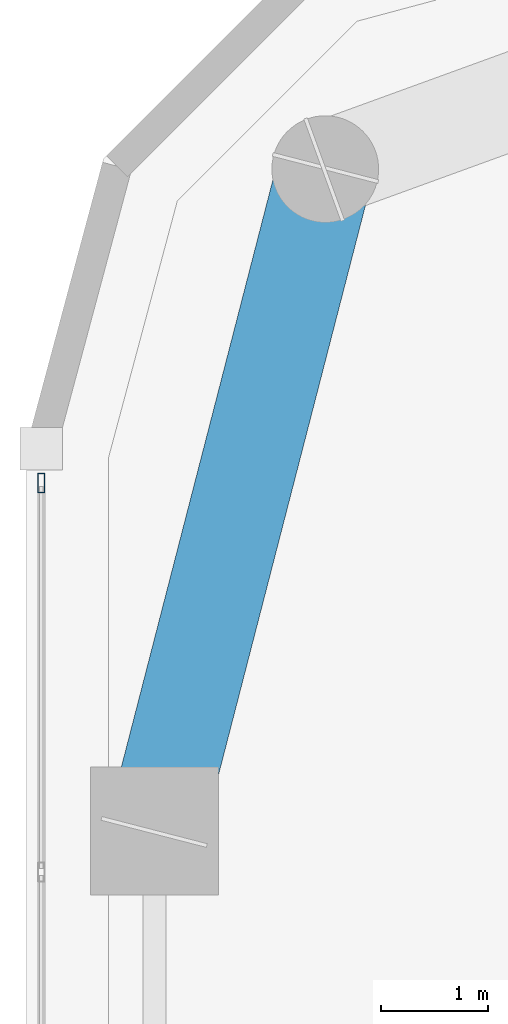
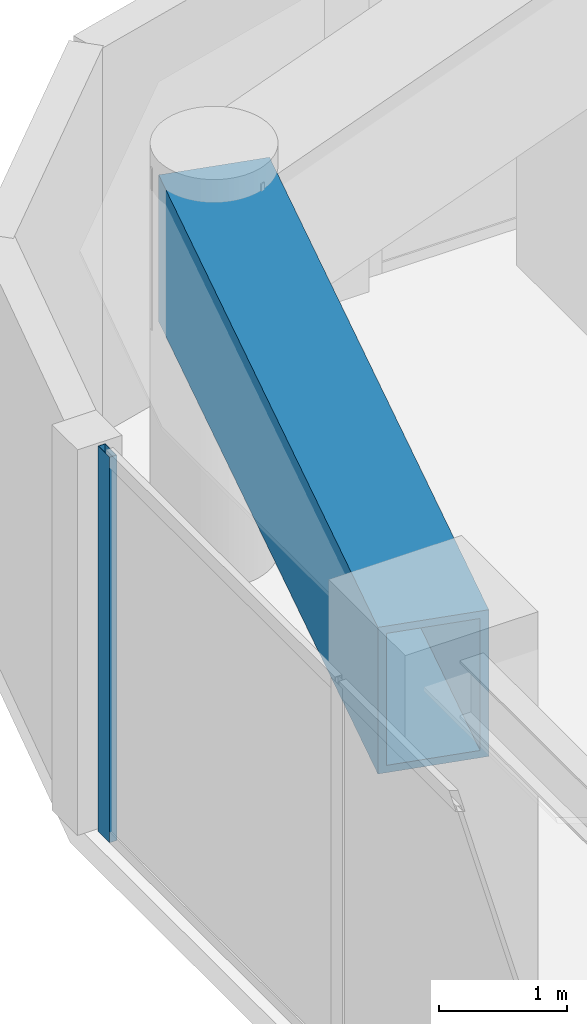
# One storey, part 15 of 30: 1 beam, 1 member, 1 element without a shape of its own.
"""IFC4 building model written with IfcOpenShell, lengths in metres."""

from ifc_helpers import new_model, si_unit, direction, frame, origin, origin_2d, place, context, subcontext, project, spatial, hollow_rectangle, extrude, material, layer, layer_set, material_profile, profile_set, type_object, element, aggregate, save


model = new_model("IFC4")

# Units and contexts
model_context = context("Model", 3, precision=1e-05, world=origin(), true_north=direction((0.0, 1.0)))
body_context = subcontext(model_context, "Body", "Model", "MODEL_VIEW")
ifc_project = project(units=[si_unit("LENGTHUNIT", "METRE"), si_unit("AREAUNIT", "SQUARE_METRE"), si_unit("VOLUMEUNIT", "CUBIC_METRE"), si_unit("PLANEANGLEUNIT", "RADIAN"), si_unit("MASSUNIT", "GRAM", prefix="KILO")], contexts=[model_context])

# Site, building, storey
site_placement = place(None, origin())
site = spatial("IfcSite", under=ifc_project, at=site_placement, CompositionType="ELEMENT")
building_placement = place(site_placement, origin())
building = spatial("IfcBuilding", under=site, at=building_placement, Name="Kiyonajd Concourse Tower", CompositionType="ELEMENT")
storey_placement = place(building_placement, frame((0.0, 0.0, 194.10009765625)))
storey = spatial("IfcBuildingStorey", under=building, at=storey_placement, Name="L49", CompositionType="ELEMENT", Elevation=194.10009765625)

# Beam
ifc_material_1 = material(Name="Steel ASTM A572 Grade 50", Category="steel")
ifc_material_profile_1 = material_profile(ifc_material_1, hollow_rectangle(XDim=0.89990234375, YDim=1.39990234375, WallThickness=0.070068359375, at=origin_2d()), Name="BOX-1400x900x70")
ifc_profile_set_1 = profile_set([ifc_material_profile_1], Name="Steel ASTM A572 Grade 50")
beam_type = type_object("IfcBeamType", Name="BM-XFER-1400", PredefinedType="BEAM", material=ifc_profile_set_1)
beam_placement = place(storey_placement, frame((20.800048828125, 59.60009765625, 2.97998046875), z_axis=(-0.249884937687, -0.968275538221, 0.0), x_axis=(0.968275538221, -0.249884937687, 0.0)))
element("IfcBeam", 1, at=beam_placement, inside=storey, type_object=beam_type, Name="L49 Perimeter Bundled Tube Spandrel", PredefinedType="BEAM", context=body_context, shape_type="SweptSolid", body=[
    extrude(hollow_rectangle(XDim=0.89990234375, YDim=1.39990234375, WallThickness=0.070068359375, at=origin_2d()), origin(), (0.0, 0.0, 1.0), 6.4033203125),
])

# Curtain wall, member
ifc_material_2 = material(Name="Thermally Broken Anodised Aluminium", Category="aluminium")
ifc_layer = layer(ifc_material_2, 0.179931640625)
ifc_layer_set = layer_set([ifc_layer], Name="Thermally Broken Anodised Aluminium")
curtain_wall_type = type_object("IfcCurtainWallType", Name="CW-SYS-03", PredefinedType="NOTDEFINED", material=ifc_layer_set)
curtain_wall_placement = place(storey_placement, origin())
curtain_wall = element("IfcCurtainWall", 2, at=curtain_wall_placement, inside=storey, type_object=curtain_wall_type, Name="L49 Unitised Curtain Wall CW3", PredefinedType="NOTDEFINED")
ifc_material_profile_2 = material_profile(ifc_material_2, hollow_rectangle(XDim=0.06494140625, YDim=0.179931640625, WallThickness=0.00390625, at=origin_2d()), Name="MULL-65x180")
ifc_profile_set_2 = profile_set([ifc_material_profile_2], Name="Thermally Broken Anodised Aluminium")
member_type = type_object("IfcMemberType", Name="MB-CW-MULL1", PredefinedType="MULLION", material=ifc_profile_set_2)
member_placement = place(storey_placement, frame((18.139892578125, 56.6591796875, 0.0), z_axis=(0.0, 0.0, 1.0), x_axis=(-1.0, 0.0, 0.0)))
member = element("IfcMember", 3, at=member_placement, type_object=member_type, Name="CW3 mullion 7", PredefinedType="MULLION", context=body_context, shape_type="SweptSolid", body=[
    extrude(hollow_rectangle(XDim=0.06494140625, YDim=0.179931640625, WallThickness=0.00390625, at=origin_2d()), origin(), (0.0, 0.0, 1.0), 3.679931640625),
])
aggregate(curtain_wall, [member])

save(model, "model.ifc")
